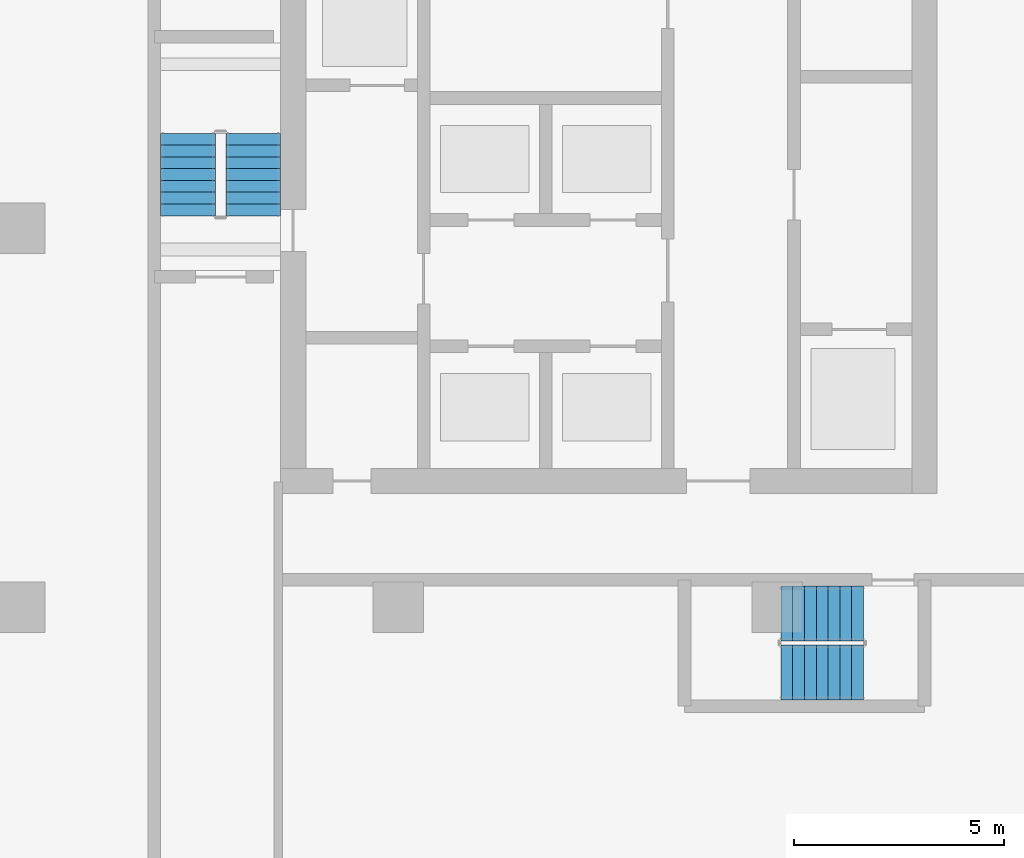
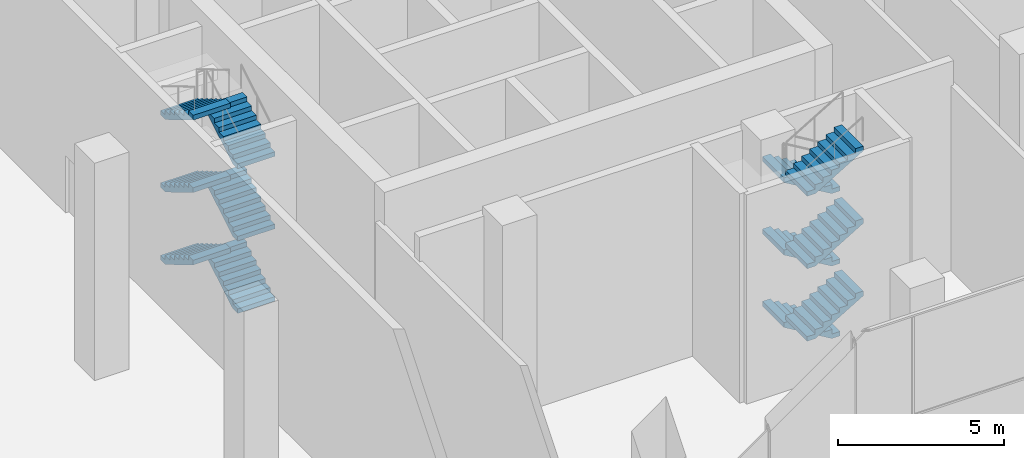
# One storey, part 41 of 54: 12 stair flights, 2 elements without a shape of their own.
"""IFC4 building model written with IfcOpenShell, lengths in metres."""

from ifc_helpers import new_model, si_unit, direction, frame, origin, place, context, subcontext, project, spatial, triangles, source, transform, mapped, material, type_object, element, aggregate, save


model = new_model("IFC4")

# Units and contexts
model_context = context("Model", 3, precision=1e-05, world=origin(), true_north=direction((0.0, 1.0)))
body_context = subcontext(model_context, "Body", "Model", "MODEL_VIEW")
ifc_project = project(units=[si_unit("LENGTHUNIT", "METRE"), si_unit("AREAUNIT", "SQUARE_METRE"), si_unit("VOLUMEUNIT", "CUBIC_METRE"), si_unit("PLANEANGLEUNIT", "RADIAN"), si_unit("MASSUNIT", "GRAM", prefix="KILO")], contexts=[model_context])

# Site, building, storey
site_placement = place(None, origin())
site = spatial("IfcSite", under=ifc_project, at=site_placement, CompositionType="ELEMENT")
building_placement = place(site_placement, origin())
building = spatial("IfcBuilding", under=site, at=building_placement, Name="Ogive Portal Towers", CompositionType="ELEMENT")
storey_placement = place(building_placement, origin())
storey = spatial("IfcBuildingStorey", under=building, at=storey_placement, Name="L00", CompositionType="ELEMENT", Elevation=0.0)

# Stair, stair flights
ifc_material = material(Name="Concrete C40/50", Category="concrete")
stair_type = type_object("IfcStairType", Name="INT-STAIR", PredefinedType="HALF_TURN_STAIR", material=ifc_material)
stair_1_placement = place(storey_placement, origin())
stair_1 = element("IfcStair", 1, at=stair_1_placement, inside=storey, type_object=stair_type, Name="L00 Exit Stair ST-B1", PredefinedType="HALF_TURN_STAIR")
stair_flight_type = type_object("IfcStairFlightType", Name="INT-FLIGHT", PredefinedType="STRAIGHT", material=ifc_material)
shared_shape = source(origin(), body_context, "Body", "Tessellation", [
    triangles([(0.0, -0.650146484375, 0.0), (0.0, -0.376220703125, 0.0), (0.0, -0.192626953125, 0.0), (0.0, -0.081298828125, 0.0), (0.0, -0.024169921875, 0.0), (0.0, -0.003173828125, 0.0), (0.0, 0.0, 0.0), (0.0, 0.0029296875, 0.0), (0.0, 0.02392578125, 0.0), (0.0, 0.0810546875, 0.0), (0.0, 0.1923828125, 0.0), (0.0, 0.3759765625, 0.0), (0.0, 0.64990234375, 0.0), (0.0, -0.650146484375, 0.166748046875), (0.0, -0.376220703125, 0.166748046875), (0.0, -0.192626953125, 0.166748046875), (0.0, -0.081298828125, 0.166748046875), (0.0, -0.024169921875, 0.166748046875), (0.0, -0.003173828125, 0.166748046875), (0.0, 0.0, 0.166748046875), (0.0, 0.0029296875, 0.166748046875), (0.0, 0.02392578125, 0.166748046875), (0.0, 0.0810546875, 0.166748046875), (0.0, 0.1923828125, 0.166748046875), (0.0, 0.3759765625, 0.166748046875), (0.0, 0.64990234375, 0.166748046875), (0.280029296875, -0.650146484375, 0.166748046875), (0.280029296875, -0.376220703125, 0.166748046875), (0.280029296875, -0.192626953125, 0.166748046875), (0.280029296875, -0.081298828125, 0.166748046875), (0.280029296875, -0.024169921875, 0.166748046875), (0.280029296875, -0.003173828125, 0.166748046875), (0.280029296875, 0.0, 0.166748046875), (0.280029296875, 0.0029296875, 0.166748046875), (0.280029296875, 0.02392578125, 0.166748046875), (0.280029296875, 0.0810546875, 0.166748046875), (0.280029296875, 0.1923828125, 0.166748046875), (0.280029296875, 0.3759765625, 0.166748046875), (0.280029296875, 0.64990234375, 0.166748046875), (0.280029296875, -0.650146484375, 0.333251953125), (0.280029296875, -0.376220703125, 0.333251953125), (0.280029296875, -0.192626953125, 0.333251953125), (0.280029296875, -0.081298828125, 0.333251953125), (0.280029296875, -0.024169921875, 0.333251953125), (0.280029296875, -0.003173828125, 0.333251953125), (0.280029296875, 0.0, 0.333251953125), (0.280029296875, 0.0029296875, 0.333251953125), (0.280029296875, 0.02392578125, 0.333251953125), (0.280029296875, 0.0810546875, 0.333251953125), (0.280029296875, 0.1923828125, 0.333251953125), (0.280029296875, 0.3759765625, 0.333251953125), (0.280029296875, 0.64990234375, 0.333251953125), (0.56005859375, -0.650146484375, 0.333251953125), (0.56005859375, -0.376220703125, 0.333251953125), (0.56005859375, -0.192626953125, 0.333251953125), (0.56005859375, -0.081298828125, 0.333251953125), (0.56005859375, -0.024169921875, 0.333251953125), (0.56005859375, -0.003173828125, 0.333251953125), (0.56005859375, 0.0, 0.333251953125), (0.56005859375, 0.0029296875, 0.333251953125), (0.56005859375, 0.02392578125, 0.333251953125), (0.56005859375, 0.0810546875, 0.333251953125), (0.56005859375, 0.1923828125, 0.333251953125), (0.56005859375, 0.3759765625, 0.333251953125), (0.56005859375, 0.64990234375, 0.333251953125), (0.56005859375, -0.650146484375, 0.5), (0.56005859375, -0.376220703125, 0.5), (0.56005859375, -0.192626953125, 0.5), (0.56005859375, -0.081298828125, 0.5), (0.56005859375, -0.024169921875, 0.5), (0.56005859375, -0.003173828125, 0.5), (0.56005859375, 0.0, 0.5), (0.56005859375, 0.0029296875, 0.5), (0.56005859375, 0.02392578125, 0.5), (0.56005859375, 0.0810546875, 0.5), (0.56005859375, 0.1923828125, 0.5), (0.56005859375, 0.3759765625, 0.5), (0.56005859375, 0.64990234375, 0.5), (0.840087890625, -0.650146484375, 0.5), (0.840087890625, -0.376220703125, 0.5), (0.840087890625, -0.192626953125, 0.5), (0.840087890625, -0.081298828125, 0.5), (0.840087890625, -0.024169921875, 0.5), (0.840087890625, -0.003173828125, 0.5), (0.840087890625, 0.0, 0.5), (0.840087890625, 0.0029296875, 0.5), (0.840087890625, 0.02392578125, 0.5), (0.840087890625, 0.0810546875, 0.5), (0.840087890625, 0.1923828125, 0.5), (0.840087890625, 0.3759765625, 0.5), (0.840087890625, 0.64990234375, 0.5), (0.840087890625, -0.650146484375, 0.666748046875), (0.840087890625, -0.376220703125, 0.666748046875), (0.840087890625, -0.192626953125, 0.666748046875), (0.840087890625, -0.081298828125, 0.666748046875), (0.840087890625, -0.024169921875, 0.666748046875), (0.840087890625, -0.003173828125, 0.666748046875), (0.840087890625, 0.0, 0.666748046875), (0.840087890625, 0.0029296875, 0.666748046875), (0.840087890625, 0.02392578125, 0.666748046875), (0.840087890625, 0.0810546875, 0.666748046875), (0.840087890625, 0.1923828125, 0.666748046875), (0.840087890625, 0.3759765625, 0.666748046875), (0.840087890625, 0.64990234375, 0.666748046875), (1.1201171875, -0.650146484375, 0.666748046875), (1.1201171875, -0.376220703125, 0.666748046875), (1.1201171875, -0.192626953125, 0.666748046875), (1.1201171875, -0.081298828125, 0.666748046875), (1.1201171875, -0.024169921875, 0.666748046875), (1.1201171875, -0.003173828125, 0.666748046875), (1.1201171875, 0.0, 0.666748046875), (1.1201171875, 0.0029296875, 0.666748046875), (1.1201171875, 0.02392578125, 0.666748046875), (1.1201171875, 0.0810546875, 0.666748046875), (1.1201171875, 0.1923828125, 0.666748046875), (1.1201171875, 0.3759765625, 0.666748046875), (1.1201171875, 0.64990234375, 0.666748046875), (1.1201171875, -0.650146484375, 0.833251953125), (1.1201171875, -0.376220703125, 0.833251953125), (1.1201171875, -0.192626953125, 0.833251953125), (1.1201171875, -0.081298828125, 0.833251953125), (1.1201171875, -0.024169921875, 0.833251953125), (1.1201171875, -0.003173828125, 0.833251953125), (1.1201171875, 0.0, 0.833251953125), (1.1201171875, 0.0029296875, 0.833251953125), (1.1201171875, 0.02392578125, 0.833251953125), (1.1201171875, 0.0810546875, 0.833251953125), (1.1201171875, 0.1923828125, 0.833251953125), (1.1201171875, 0.3759765625, 0.833251953125), (1.1201171875, 0.64990234375, 0.833251953125), (1.39990234375, -0.650146484375, 0.833251953125), (1.39990234375, -0.376220703125, 0.833251953125), (1.39990234375, -0.192626953125, 0.833251953125), (1.39990234375, -0.081298828125, 0.833251953125), (1.39990234375, -0.024169921875, 0.833251953125), (1.39990234375, -0.003173828125, 0.833251953125), (1.39990234375, 0.0, 0.833251953125), (1.39990234375, 0.0029296875, 0.833251953125), (1.39990234375, 0.02392578125, 0.833251953125), (1.39990234375, 0.0810546875, 0.833251953125), (1.39990234375, 0.1923828125, 0.833251953125), (1.39990234375, 0.3759765625, 0.833251953125), (1.39990234375, 0.64990234375, 0.833251953125), (1.39990234375, -0.650146484375, 1.0), (1.39990234375, -0.376220703125, 1.0), (1.39990234375, -0.192626953125, 1.0), (1.39990234375, -0.081298828125, 1.0), (1.39990234375, -0.024169921875, 1.0), (1.39990234375, -0.003173828125, 1.0), (1.39990234375, 0.0, 1.0), (1.39990234375, 0.0029296875, 1.0), (1.39990234375, 0.02392578125, 1.0), (1.39990234375, 0.0810546875, 1.0), (1.39990234375, 0.1923828125, 1.0), (1.39990234375, 0.3759765625, 1.0), (1.39990234375, 0.64990234375, 1.0), (1.679931640625, -0.650146484375, 1.0), (1.679931640625, -0.376220703125, 1.0), (1.679931640625, -0.192626953125, 1.0), (1.679931640625, -0.081298828125, 1.0), (1.679931640625, -0.024169921875, 1.0), (1.679931640625, -0.003173828125, 1.0), (1.679931640625, 0.0, 1.0), (1.679931640625, 0.0029296875, 1.0), (1.679931640625, 0.02392578125, 1.0), (1.679931640625, 0.0810546875, 1.0), (1.679931640625, 0.1923828125, 1.0), (1.679931640625, 0.3759765625, 1.0), (1.679931640625, 0.64990234375, 1.0), (1.679931640625, -0.650146484375, 1.166748046875), (1.679931640625, -0.376220703125, 1.166748046875), (1.679931640625, -0.192626953125, 1.166748046875), (1.679931640625, -0.081298828125, 1.166748046875), (1.679931640625, -0.024169921875, 1.166748046875), (1.679931640625, -0.003173828125, 1.166748046875), (1.679931640625, 0.0, 1.166748046875), (1.679931640625, 0.0029296875, 1.166748046875), (1.679931640625, 0.02392578125, 1.166748046875), (1.679931640625, 0.0810546875, 1.166748046875), (1.679931640625, 0.1923828125, 1.166748046875), (1.679931640625, 0.3759765625, 1.166748046875), (1.679931640625, 0.64990234375, 1.166748046875), (1.9599609375, -0.650146484375, 1.166748046875), (1.9599609375, -0.376220703125, 1.166748046875), (1.9599609375, -0.192626953125, 1.166748046875), (1.9599609375, -0.081298828125, 1.166748046875), (1.9599609375, -0.024169921875, 1.166748046875), (1.9599609375, -0.003173828125, 1.166748046875), (1.9599609375, 0.0, 1.166748046875), (1.9599609375, 0.0029296875, 1.166748046875), (1.9599609375, 0.02392578125, 1.166748046875), (1.9599609375, 0.0810546875, 1.166748046875), (1.9599609375, 0.1923828125, 1.166748046875), (1.9599609375, 0.3759765625, 1.166748046875), (1.9599609375, 0.64990234375, 1.166748046875), (1.9599609375, -0.650146484375, 0.9921875), (1.9599609375, -0.376220703125, 0.9921875), (1.9599609375, -0.192626953125, 0.9921875), (1.9599609375, -0.081298828125, 0.9921875), (1.9599609375, -0.024169921875, 0.9921875), (1.9599609375, -0.003173828125, 0.9921875), (1.9599609375, 0.0, 0.9921875), (1.9599609375, 0.0029296875, 0.9921875), (1.9599609375, 0.02392578125, 0.9921875), (1.9599609375, 0.0810546875, 0.9921875), (1.9599609375, 0.1923828125, 0.9921875), (1.9599609375, 0.3759765625, 0.9921875), (1.9599609375, 0.64990234375, 0.9921875), (0.29296875, -0.650146484375, 0.0), (0.29296875, -0.376220703125, 0.0), (0.29296875, -0.192626953125, 0.0), (0.29296875, -0.081298828125, 0.0), (0.29296875, -0.024169921875, 0.0), (0.29296875, -0.003173828125, 0.0), (0.29296875, 0.0, 0.0), (0.29296875, 0.0029296875, 0.0), (0.29296875, 0.02392578125, 0.0), (0.29296875, 0.0810546875, 0.0), (0.29296875, 0.1923828125, 0.0), (0.29296875, 0.3759765625, 0.0), (0.29296875, 0.64990234375, 0.0)], [[1, 14, 15], [1, 15, 2], [2, 15, 16], [2, 16, 3], [3, 16, 17], [3, 17, 4], [4, 17, 18], [4, 18, 5], [5, 18, 19], [5, 19, 6], [6, 19, 20], [6, 20, 7], [7, 20, 21], [7, 21, 8], [8, 21, 22], [8, 22, 9], [9, 22, 23], [9, 23, 10], [10, 23, 24], [10, 24, 11], [11, 24, 25], [11, 25, 12], [12, 25, 26], [12, 26, 13], [14, 27, 28], [14, 28, 15], [15, 28, 29], [15, 29, 16], [16, 29, 30], [16, 30, 17], [17, 30, 31], [17, 31, 18], [18, 31, 32], [18, 32, 19], [19, 32, 33], [19, 33, 20], [20, 33, 34], [20, 34, 21], [21, 34, 35], [21, 35, 22], [22, 35, 36], [22, 36, 23], [23, 36, 37], [23, 37, 24], [24, 37, 38], [24, 38, 25], [25, 38, 39], [25, 39, 26], [27, 40, 41], [27, 41, 28], [28, 41, 42], [28, 42, 29], [29, 42, 43], [29, 43, 30], [30, 43, 44], [30, 44, 31], [31, 44, 45], [31, 45, 32], [32, 45, 46], [32, 46, 33], [33, 46, 47], [33, 47, 34], [34, 47, 48], [34, 48, 35], [35, 48, 49], [35, 49, 36], [36, 49, 50], [36, 50, 37], [37, 50, 51], [37, 51, 38], [38, 51, 52], [38, 52, 39], [40, 53, 54], [40, 54, 41], [41, 54, 55], [41, 55, 42], [42, 55, 56], [42, 56, 43], [43, 56, 57], [43, 57, 44], [44, 57, 58], [44, 58, 45], [45, 58, 59], [45, 59, 46], [46, 59, 60], [46, 60, 47], [47, 60, 61], [47, 61, 48], [48, 61, 62], [48, 62, 49], [49, 62, 63], [49, 63, 50], [50, 63, 64], [50, 64, 51], [51, 64, 65], [51, 65, 52], [53, 66, 67], [53, 67, 54], [54, 67, 68], [54, 68, 55], [55, 68, 69], [55, 69, 56], [56, 69, 70], [56, 70, 57], [57, 70, 71], [57, 71, 58], [58, 71, 72], [58, 72, 59], [59, 72, 73], [59, 73, 60], [60, 73, 74], [60, 74, 61], [61, 74, 75], [61, 75, 62], [62, 75, 76], [62, 76, 63], [63, 76, 77], [63, 77, 64], [64, 77, 78], [64, 78, 65], [66, 79, 80], [66, 80, 67], [67, 80, 81], [67, 81, 68], [68, 81, 82], [68, 82, 69], [69, 82, 83], [69, 83, 70], [70, 83, 84], [70, 84, 71], [71, 84, 85], [71, 85, 72], [72, 85, 86], [72, 86, 73], [73, 86, 87], [73, 87, 74], [74, 87, 88], [74, 88, 75], [75, 88, 89], [75, 89, 76], [76, 89, 90], [76, 90, 77], [77, 90, 91], [77, 91, 78], [79, 92, 93], [79, 93, 80], [80, 93, 94], [80, 94, 81], [81, 94, 95], [81, 95, 82], [82, 95, 96], [82, 96, 83], [83, 96, 97], [83, 97, 84], [84, 97, 98], [84, 98, 85], [85, 98, 99], [85, 99, 86], [86, 99, 100], [86, 100, 87], [87, 100, 101], [87, 101, 88], [88, 101, 102], [88, 102, 89], [89, 102, 103], [89, 103, 90], [90, 103, 104], [90, 104, 91], [92, 105, 106], [92, 106, 93], [93, 106, 107], [93, 107, 94], [94, 107, 108], [94, 108, 95], [95, 108, 109], [95, 109, 96], [96, 109, 110], [96, 110, 97], [97, 110, 111], [97, 111, 98], [98, 111, 112], [98, 112, 99], [99, 112, 113], [99, 113, 100], [100, 113, 114], [100, 114, 101], [101, 114, 115], [101, 115, 102], [102, 115, 116], [102, 116, 103], [103, 116, 117], [103, 117, 104], [105, 118, 119], [105, 119, 106], [106, 119, 120], [106, 120, 107], [107, 120, 121], [107, 121, 108], [108, 121, 122], [108, 122, 109], [109, 122, 123], [109, 123, 110], [110, 123, 124], [110, 124, 111], [111, 124, 125], [111, 125, 112], [112, 125, 126], [112, 126, 113], [113, 126, 127], [113, 127, 114], [114, 127, 128], [114, 128, 115], [115, 128, 129], [115, 129, 116], [116, 129, 130], [116, 130, 117], [118, 131, 132], [118, 132, 119], [119, 132, 133], [119, 133, 120], [120, 133, 134], [120, 134, 121], [121, 134, 135], [121, 135, 122], [122, 135, 136], [122, 136, 123], [123, 136, 137], [123, 137, 124], [124, 137, 138], [124, 138, 125], [125, 138, 139], [125, 139, 126], [126, 139, 140], [126, 140, 127], [127, 140, 141], [127, 141, 128], [128, 141, 142], [128, 142, 129], [129, 142, 143], [129, 143, 130], [131, 144, 145], [131, 145, 132], [132, 145, 146], [132, 146, 133], [133, 146, 147], [133, 147, 134], [134, 147, 148], [134, 148, 135], [135, 148, 149], [135, 149, 136], [136, 149, 150], [136, 150, 137], [137, 150, 151], [137, 151, 138], [138, 151, 152], [138, 152, 139], [139, 152, 153], [139, 153, 140], [140, 153, 154], [140, 154, 141], [141, 154, 155], [141, 155, 142], [142, 155, 156], [142, 156, 143], [144, 157, 158], [144, 158, 145], [145, 158, 159], [145, 159, 146], [146, 159, 160], [146, 160, 147], [147, 160, 161], [147, 161, 148], [148, 161, 162], [148, 162, 149], [149, 162, 163], [149, 163, 150], [150, 163, 164], [150, 164, 151], [151, 164, 165], [151, 165, 152], [152, 165, 166], [152, 166, 153], [153, 166, 167], [153, 167, 154], [154, 167, 168], [154, 168, 155], [155, 168, 169], [155, 169, 156], [157, 170, 171], [157, 171, 158], [158, 171, 172], [158, 172, 159], [159, 172, 173], [159, 173, 160], [160, 173, 174], [160, 174, 161], [161, 174, 175], [161, 175, 162], [162, 175, 176], [162, 176, 163], [163, 176, 177], [163, 177, 164], [164, 177, 178], [164, 178, 165], [165, 178, 179], [165, 179, 166], [166, 179, 180], [166, 180, 167], [167, 180, 181], [167, 181, 168], [168, 181, 182], [168, 182, 169], [170, 183, 184], [170, 184, 171], [171, 184, 185], [171, 185, 172], [172, 185, 186], [172, 186, 173], [173, 186, 187], [173, 187, 174], [174, 187, 188], [174, 188, 175], [175, 188, 189], [175, 189, 176], [176, 189, 190], [176, 190, 177], [177, 190, 191], [177, 191, 178], [178, 191, 192], [178, 192, 179], [179, 192, 193], [179, 193, 180], [180, 193, 194], [180, 194, 181], [181, 194, 195], [181, 195, 182], [183, 196, 197], [183, 197, 184], [184, 197, 198], [184, 198, 185], [185, 198, 199], [185, 199, 186], [186, 199, 200], [186, 200, 187], [187, 200, 201], [187, 201, 188], [188, 201, 202], [188, 202, 189], [189, 202, 203], [189, 203, 190], [190, 203, 204], [190, 204, 191], [191, 204, 205], [191, 205, 192], [192, 205, 206], [192, 206, 193], [193, 206, 207], [193, 207, 194], [194, 207, 208], [194, 208, 195], [196, 209, 210], [196, 210, 197], [197, 210, 211], [197, 211, 198], [198, 211, 212], [198, 212, 199], [199, 212, 213], [199, 213, 200], [200, 213, 214], [200, 214, 201], [201, 214, 215], [201, 215, 202], [202, 215, 216], [202, 216, 203], [203, 216, 217], [203, 217, 204], [204, 217, 218], [204, 218, 205], [205, 218, 219], [205, 219, 206], [206, 219, 220], [206, 220, 207], [207, 220, 221], [207, 221, 208], [209, 1, 2], [209, 2, 210], [210, 2, 3], [210, 3, 211], [211, 3, 4], [211, 4, 212], [212, 4, 5], [212, 5, 213], [213, 5, 6], [213, 6, 214], [214, 6, 7], [214, 7, 215], [215, 7, 8], [215, 8, 216], [216, 8, 9], [216, 9, 217], [217, 9, 10], [217, 10, 218], [218, 10, 11], [218, 11, 219], [219, 11, 12], [219, 12, 220], [220, 12, 13], [220, 13, 221], [1, 209, 196], [13, 208, 221], [196, 183, 170], [208, 182, 195], [196, 170, 157], [208, 169, 182], [196, 157, 144], [208, 156, 169], [196, 144, 131], [208, 143, 156], [131, 118, 105], [143, 117, 130], [196, 131, 105], [208, 117, 143], [105, 92, 79], [117, 91, 104], [196, 105, 79], [208, 91, 117], [79, 66, 53], [91, 65, 78], [196, 79, 53], [208, 65, 91], [1, 196, 53], [13, 65, 208], [53, 40, 27], [65, 39, 52], [1, 53, 27], [13, 39, 65], [27, 14, 1], [39, 13, 26]], closed=True),
])
stair_flight_1_placement = place(storey_placement, frame((128.050048828125, 30.800048828125, 0.0), z_axis=(0.0, 0.0, 1.0), x_axis=(0.0, 1.0, 0.0)))
stair_flight_1 = element("IfcStairFlight", 2, at=stair_flight_1_placement, type_object=stair_flight_type, Name="ST-B1 flight 1", NumberOfRisers=8, NumberOfTreads=7, PredefinedType="STRAIGHT", RiserHeight=0.166666667, TreadLength=0.28, context=body_context, shape_type="MappedRepresentation", body=[
    mapped(shared_shape, transform((0.0, 0.0, 0.0), scale=1.0)),
])
stair_flight_2_placement = place(storey_placement, frame((126.5, 32.760009765625, 1.333251953125), z_axis=(0.0, 0.0, 1.0), x_axis=(0.0, -1.0, 0.0)))
stair_flight_2 = element("IfcStairFlight", 3, at=stair_flight_2_placement, type_object=stair_flight_type, Name="ST-B1 flight 2", NumberOfRisers=8, NumberOfTreads=7, PredefinedType="STRAIGHT", RiserHeight=0.166666667, TreadLength=0.28, context=body_context, shape_type="MappedRepresentation", body=[
    mapped(shared_shape, transform((0.0, 0.0, 0.0), scale=1.0)),
])
stair_flight_3_placement = place(storey_placement, frame((128.050048828125, 30.800048828125, 2.666748046875), z_axis=(0.0, 0.0, 1.0), x_axis=(0.0, 1.0, 0.0)))
stair_flight_3 = element("IfcStairFlight", 4, at=stair_flight_3_placement, type_object=stair_flight_type, Name="ST-B1 flight 3", NumberOfRisers=8, NumberOfTreads=7, PredefinedType="STRAIGHT", RiserHeight=0.166666667, TreadLength=0.28, context=body_context, shape_type="MappedRepresentation", body=[
    mapped(shared_shape, transform((0.0, 0.0, 0.0), scale=1.0)),
])
stair_flight_4_placement = place(storey_placement, frame((126.5, 32.760009765625, 4.0), z_axis=(0.0, 0.0, 1.0), x_axis=(0.0, -1.0, 0.0)))
stair_flight_4 = element("IfcStairFlight", 5, at=stair_flight_4_placement, type_object=stair_flight_type, Name="ST-B1 flight 4", NumberOfRisers=8, NumberOfTreads=7, PredefinedType="STRAIGHT", RiserHeight=0.166666667, TreadLength=0.28, context=body_context, shape_type="MappedRepresentation", body=[
    mapped(shared_shape, transform((0.0, 0.0, 0.0), scale=1.0)),
])
stair_flight_5_placement = place(storey_placement, frame((128.050048828125, 30.800048828125, 5.333251953125), z_axis=(0.0, 0.0, 1.0), x_axis=(0.0, 1.0, 0.0)))
stair_flight_5 = element("IfcStairFlight", 6, at=stair_flight_5_placement, type_object=stair_flight_type, Name="ST-B1 flight 5", NumberOfRisers=8, NumberOfTreads=7, PredefinedType="STRAIGHT", RiserHeight=0.166666667, TreadLength=0.28, context=body_context, shape_type="MappedRepresentation", body=[
    mapped(shared_shape, transform((0.0, 0.0, 0.0), scale=1.0)),
])
stair_flight_6_placement = place(storey_placement, frame((126.5, 32.760009765625, 6.666748046875), z_axis=(0.0, 0.0, 1.0), x_axis=(0.0, -1.0, 0.0)))
stair_flight_6 = element("IfcStairFlight", 7, at=stair_flight_6_placement, type_object=stair_flight_type, Name="ST-B1 flight 6", NumberOfRisers=8, NumberOfTreads=7, PredefinedType="STRAIGHT", RiserHeight=0.166666667, TreadLength=0.28, context=body_context, shape_type="MappedRepresentation", body=[
    mapped(shared_shape, transform((0.0, 0.0, 0.0), scale=1.0)),
])
aggregate(stair_1, [stair_flight_1, stair_flight_2, stair_flight_3, stair_flight_4, stair_flight_5, stair_flight_6])

stair_2_placement = place(storey_placement, origin())
stair_2 = element("IfcStair", 8, at=stair_2_placement, inside=storey, type_object=stair_type, Name="L00 Exit Stair ST-B2", PredefinedType="HALF_TURN_STAIR")
stair_flight_7_placement = place(storey_placement, frame((142.550048828125, 21.35009765625, 0.0), z_axis=(0.0, 0.0, 1.0), x_axis=(-1.0, 0.0, 0.0)))
stair_flight_7 = element("IfcStairFlight", 9, at=stair_flight_7_placement, type_object=stair_flight_type, Name="ST-B2 flight 1", NumberOfRisers=8, NumberOfTreads=7, PredefinedType="STRAIGHT", RiserHeight=0.166666667, TreadLength=0.28, context=body_context, shape_type="MappedRepresentation", body=[
    mapped(shared_shape, transform((0.0, 0.0, 0.0), scale=1.0)),
])
stair_flight_8_placement = place(storey_placement, frame((140.590087890625, 19.949951171875, 1.333251953125), z_axis=(0.0, 0.0, 1.0), x_axis=(1.0, 0.0, 0.0)))
stair_flight_8 = element("IfcStairFlight", 10, at=stair_flight_8_placement, type_object=stair_flight_type, Name="ST-B2 flight 2", NumberOfRisers=8, NumberOfTreads=7, PredefinedType="STRAIGHT", RiserHeight=0.166666667, TreadLength=0.28, context=body_context, shape_type="MappedRepresentation", body=[
    mapped(shared_shape, transform((0.0, 0.0, 0.0), scale=1.0)),
])
stair_flight_9_placement = place(storey_placement, frame((142.550048828125, 21.35009765625, 2.666748046875), z_axis=(0.0, 0.0, 1.0), x_axis=(-1.0, 0.0, 0.0)))
stair_flight_9 = element("IfcStairFlight", 11, at=stair_flight_9_placement, type_object=stair_flight_type, Name="ST-B2 flight 3", NumberOfRisers=8, NumberOfTreads=7, PredefinedType="STRAIGHT", RiserHeight=0.166666667, TreadLength=0.28, context=body_context, shape_type="MappedRepresentation", body=[
    mapped(shared_shape, transform((0.0, 0.0, 0.0), scale=1.0)),
])
stair_flight_10_placement = place(storey_placement, frame((140.590087890625, 19.949951171875, 4.0), z_axis=(0.0, 0.0, 1.0), x_axis=(1.0, 0.0, 0.0)))
stair_flight_10 = element("IfcStairFlight", 12, at=stair_flight_10_placement, type_object=stair_flight_type, Name="ST-B2 flight 4", NumberOfRisers=8, NumberOfTreads=7, PredefinedType="STRAIGHT", RiserHeight=0.166666667, TreadLength=0.28, context=body_context, shape_type="MappedRepresentation", body=[
    mapped(shared_shape, transform((0.0, 0.0, 0.0), scale=1.0)),
])
stair_flight_11_placement = place(storey_placement, frame((142.550048828125, 21.35009765625, 5.333251953125), z_axis=(0.0, 0.0, 1.0), x_axis=(-1.0, 0.0, 0.0)))
stair_flight_11 = element("IfcStairFlight", 13, at=stair_flight_11_placement, type_object=stair_flight_type, Name="ST-B2 flight 5", NumberOfRisers=8, NumberOfTreads=7, PredefinedType="STRAIGHT", RiserHeight=0.166666667, TreadLength=0.28, context=body_context, shape_type="MappedRepresentation", body=[
    mapped(shared_shape, transform((0.0, 0.0, 0.0), scale=1.0)),
])
stair_flight_12_placement = place(storey_placement, frame((140.590087890625, 19.949951171875, 6.666748046875), z_axis=(0.0, 0.0, 1.0), x_axis=(1.0, 0.0, 0.0)))
stair_flight_12 = element("IfcStairFlight", 14, at=stair_flight_12_placement, type_object=stair_flight_type, Name="ST-B2 flight 6", NumberOfRisers=8, NumberOfTreads=7, PredefinedType="STRAIGHT", RiserHeight=0.166666667, TreadLength=0.28, context=body_context, shape_type="MappedRepresentation", body=[
    mapped(shared_shape, transform((0.0, 0.0, 0.0), scale=1.0)),
])
aggregate(stair_2, [stair_flight_7, stair_flight_8, stair_flight_9, stair_flight_10, stair_flight_11, stair_flight_12])

save(model, "model.ifc")
